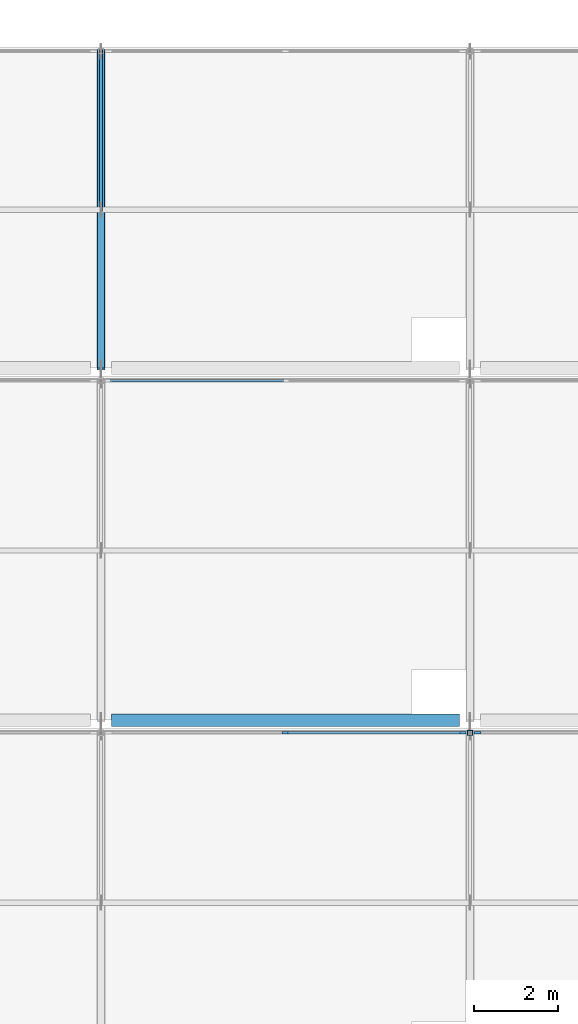
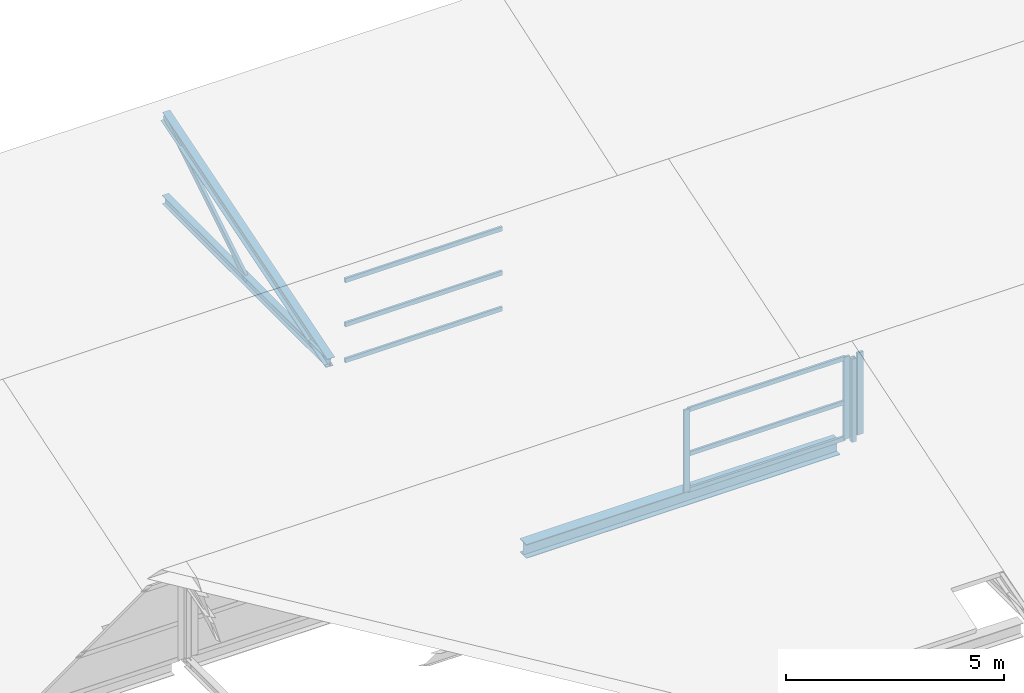
# One storey, part 12 of 40: 13 members, 1 beam, 3 elements without a shape of their own.
"""IFC4 building model written with IfcOpenShell, lengths in metres."""

from ifc_helpers import new_model, si_unit, direction, frame, origin, origin_2d, place, context, subcontext, project, spatial, rectangle, hollow_rectangle, i_section, extrude, material, material_profile, profile_set, type_object, element, aggregate, save


model = new_model("IFC4")

# Units and contexts
model_context = context("Model", 3, precision=1e-05, world=origin(), true_north=direction((0.0, 1.0)))
body_context = subcontext(model_context, "Body", "Model", "MODEL_VIEW")
ifc_project = project(units=[si_unit("LENGTHUNIT", "METRE"), si_unit("AREAUNIT", "SQUARE_METRE"), si_unit("VOLUMEUNIT", "CUBIC_METRE"), si_unit("PLANEANGLEUNIT", "RADIAN"), si_unit("MASSUNIT", "GRAM", prefix="KILO")], contexts=[model_context])

# Site, building, storey
site_placement = place(None, origin())
site = spatial("IfcSite", under=ifc_project, at=site_placement, CompositionType="ELEMENT")
building_placement = place(site_placement, origin())
building = spatial("IfcBuilding", under=site, at=building_placement, Name="Brinegate Botanical Conservatory", CompositionType="ELEMENT")
storey_placement = place(building_placement, frame((0.0, 0.0, 19.199951171875)))
storey = spatial("IfcBuildingStorey", under=building, at=storey_placement, Name="L05", CompositionType="ELEMENT", Elevation=19.199951171875)

# Beam
ifc_material_1 = material(Name="Structural steel Q355B / S355", Category="steel")
ifc_material_profile_1 = material_profile(ifc_material_1, i_section(OverallWidth=0.300048828125, OverallDepth=0.389892578125, WebThickness=0.010009765625, FlangeThickness=0.01611328125, at=origin_2d()), Name="HM 390x300x10x16")
ifc_profile_set_1 = profile_set([ifc_material_profile_1], Name="Structural steel Q355B / S355")
beam_type = type_object("IfcBeamType", Name="Beam_BM-S5", PredefinedType="BEAM", material=ifc_profile_set_1)
beam_placement = place(storey_placement, frame((95.050048828125, 95.199951171875, -0.179931640625), z_axis=(1.0, 0.0, 0.0), x_axis=(0.0, 1.0, 0.0)))
element("IfcBeam", 1, at=beam_placement, inside=storey, type_object=beam_type, Name="Sawtooth valley girder BM-S5 B2.6", PredefinedType="BEAM", context=body_context, shape_type="SweptSolid", body=[
    extrude(i_section(OverallWidth=0.300048828125, OverallDepth=0.389892578125, WebThickness=0.010009765625, FlangeThickness=0.01611328125, at=origin_2d()), origin(), (0.0, 0.0, 1.0), 8.300048828125),
])

# Curtain wall, members
ifc_material_2 = material(Name="Thermally broken anodised aluminium AW-6063-T6", Category="aluminium")
curtain_wall_type = type_object("IfcCurtainWallType", Name="CW_CW-SAW", PredefinedType="USERDEFINED", material=ifc_material_2)
curtain_wall_1_placement = place(storey_placement, origin())
curtain_wall_1 = element("IfcCurtainWall", 2, at=curtain_wall_1_placement, inside=storey, type_object=curtain_wall_type, Name="Sawtooth north-light clerestory B1.6", ObjectType="FACTORY CURTAIN WALL", PredefinedType="USERDEFINED")
ifc_material_profile_2 = material_profile(ifc_material_2, rectangle(XDim=0.06005859375, YDim=0.159912109375, at=origin_2d()), Name="ALUM MULLION 60x160")
ifc_profile_set_2 = profile_set([ifc_material_profile_2], Name="Thermally broken anodised aluminium AW-6063-T6")
member_type_1 = type_object("IfcMemberType", Name="Member_ML-01", PredefinedType="MULLION", material=ifc_profile_set_2)
member_1_placement = place(storey_placement, frame((99.199951171875, 94.89990234375, 0.150146484375), z_axis=(0.0, 0.0, 1.0), x_axis=(0.0, 1.0, 0.0)))
member_1 = element("IfcMember", 3, at=member_1_placement, type_object=member_type_1, Name="CW-SAW mullion 2", PredefinedType="MULLION", context=body_context, shape_type="SweptSolid", body=[
    extrude(rectangle(XDim=0.06005859375, YDim=0.159912109375, at=origin_2d()), origin(), (0.0, 0.0, 1.0), 2.2998046875),
])
member_2_placement = place(storey_placement, frame((103.419921875, 94.89990234375, 0.150146484375), z_axis=(0.0, 0.0, 1.0), x_axis=(0.0, 1.0, 0.0)))
member_2 = element("IfcMember", 4, at=member_2_placement, type_object=member_type_1, Name="CW-SAW mullion 3", PredefinedType="MULLION", context=body_context, shape_type="SweptSolid", body=[
    extrude(rectangle(XDim=0.06005859375, YDim=0.159912109375, at=origin_2d()), origin(), (0.0, 0.0, 1.0), 2.2998046875),
])

# Curtain wall, member
curtain_wall_2_placement = place(storey_placement, origin())
curtain_wall_2 = element("IfcCurtainWall", 5, at=curtain_wall_2_placement, inside=storey, type_object=curtain_wall_type, Name="Sawtooth north-light clerestory B1.7", ObjectType="FACTORY CURTAIN WALL", PredefinedType="USERDEFINED")
member_3_placement = place(storey_placement, frame((103.780029296875, 94.89990234375, 0.150146484375), z_axis=(0.0, 0.0, 1.0), x_axis=(0.0, 1.0, 0.0)))
member_3 = element("IfcMember", 6, at=member_3_placement, type_object=member_type_1, Name="CW-SAW mullion 1", PredefinedType="MULLION", context=body_context, shape_type="SweptSolid", body=[
    extrude(rectangle(XDim=0.06005859375, YDim=0.159912109375, at=origin_2d()), origin(), (0.0, 0.0, 1.0), 2.2998046875),
])
aggregate(curtain_wall_2, [member_3])

# Members
ifc_material_profile_3 = material_profile(ifc_material_1, hollow_rectangle(XDim=0.080078125, YDim=0.159912109375, WallThickness=0.006103515625, at=origin_2d()), Name="RHS 160x80x6")
ifc_profile_set_3 = profile_set([ifc_material_profile_3], Name="Structural steel Q355B / S355")
member_type_2 = type_object("IfcMemberType", Name="Member_SB-01", PredefinedType="BRACE", material=ifc_profile_set_3)
member_4_placement = place(storey_placement, frame((94.800048828125, 107.375, 0.02001953125), z_axis=(0.0, 0.850947042806, 0.525251492468), x_axis=(-1.0, 0.0, 0.0)))
element("IfcMember", 7, at=member_4_placement, inside=storey, type_object=member_type_2, Name="Sawtooth web diagonal SB-01 B3.T6", PredefinedType="BRACE", context=body_context, shape_type="SweptSolid", body=[
    extrude(hollow_rectangle(XDim=0.080078125, YDim=0.159912109375, WallThickness=0.006103515625, at=origin_2d()), origin(), (0.0, 0.0, 1.0), 4.43603515625),
])
ifc_material_profile_4 = material_profile(ifc_material_1, i_section(OverallWidth=0.199951171875, OverallDepth=0.2939453125, WebThickness=0.008056640625, FlangeThickness=0.011962890625, at=origin_2d()), Name="HM 294x200x8x12")
ifc_profile_set_4 = profile_set([ifc_material_profile_4], Name="Structural steel Q355B / S355")
member_type_3 = type_object("IfcMemberType", Name="Member_SC-01", PredefinedType="CHORD", material=ifc_profile_set_4)
member_5_placement = place(storey_placement, frame((94.800048828125, 103.60009765625, 0.02001953125), z_axis=(0.0, 0.955527457741, 0.294902149032), x_axis=(-1.0, 0.0, 0.0)))
element("IfcMember", 8, at=member_5_placement, inside=storey, type_object=member_type_3, Name="Sawtooth rafter chord SC-01 B3.T6", PredefinedType="CHORD", context=body_context, shape_type="SweptSolid", body=[
    extrude(i_section(OverallWidth=0.199951171875, OverallDepth=0.2939453125, WebThickness=0.008056640625, FlangeThickness=0.011962890625, at=origin_2d()), origin(), (0.0, 0.0, 1.0), 7.901123046875),
])
ifc_material_profile_5 = material_profile(ifc_material_1, i_section(OverallWidth=0.175048828125, OverallDepth=0.243896484375, WebThickness=0.007080078125, FlangeThickness=0.010986328125, at=origin_2d()), Name="HM 244x175x7x11")
ifc_profile_set_5 = profile_set([ifc_material_profile_5], Name="Structural steel Q355B / S355")
member_type_4 = type_object("IfcMemberType", Name="Member_SC-02", PredefinedType="CHORD", material=ifc_profile_set_5)
member_6_placement = place(storey_placement, frame((94.800048828125, 103.60009765625, 0.02001953125), z_axis=(0.0, 1.0, 0.0), x_axis=(-1.0, 0.0, 0.0)))
element("IfcMember", 9, at=member_6_placement, inside=storey, type_object=member_type_4, Name="Sawtooth bottom tie SC-02 B3.T6", PredefinedType="CHORD", context=body_context, shape_type="SweptSolid", body=[
    extrude(i_section(OverallWidth=0.175048828125, OverallDepth=0.243896484375, WebThickness=0.007080078125, FlangeThickness=0.010986328125, at=origin_2d()), origin(), (0.0, 0.0, 1.0), 7.5498046875),
])
ifc_material_profile_6 = material_profile(ifc_material_1, hollow_rectangle(XDim=0.1201171875, YDim=0.1201171875, WallThickness=0.006103515625, at=origin_2d()), Name="SHS 120x120x6")
ifc_profile_set_6 = profile_set([ifc_material_profile_6], Name="Structural steel Q355B / S355")
member_type_5 = type_object("IfcMemberType", Name="Member_SS-01", PredefinedType="STRUT", material=ifc_profile_set_6)
member_7_placement = place(storey_placement, frame((103.60009765625, 94.89990234375, 0.02001953125), z_axis=(0.0, 0.0, 1.0), x_axis=(1.0, 0.0, 0.0)))
element("IfcMember", 10, at=member_7_placement, inside=storey, type_object=member_type_5, Name="Sawtooth north clerestory post SS-01 B1.T7", PredefinedType="STRUT", context=body_context, shape_type="SweptSolid", body=[
    extrude(hollow_rectangle(XDim=0.1201171875, YDim=0.1201171875, WallThickness=0.006103515625, at=origin_2d()), origin(), (0.0, 0.0, 1.0), 2.330078125),
])

# Member
ifc_material_profile_7 = material_profile(ifc_material_2, rectangle(XDim=0.06005859375, YDim=0.1201171875, at=origin_2d()), Name="ALUM TRANSOM 60x120")
ifc_profile_set_7 = profile_set([ifc_material_profile_7], Name="Thermally broken anodised aluminium AW-6063-T6")
member_type_6 = type_object("IfcMemberType", Name="Member_TR-01", PredefinedType="USERDEFINED", material=ifc_profile_set_7)
member_8_placement = place(storey_placement, frame((99.22998046875, 94.89990234375, 0.179931640625), z_axis=(1.0, 0.0, 0.0), x_axis=(0.0, 1.0, 0.0)))
member_8 = element("IfcMember", 11, at=member_8_placement, type_object=member_type_6, Name="CW-SAW transom 2.1", ObjectType="TRANSOM", PredefinedType="USERDEFINED", context=body_context, shape_type="SweptSolid", body=[
    extrude(rectangle(XDim=0.06005859375, YDim=0.1201171875, at=origin_2d()), origin(), (0.0, 0.0, 1.0), 4.159912109375),
])

member_9_placement = place(storey_placement, frame((99.22998046875, 94.89990234375, 1.18505859375), z_axis=(1.0, 0.0, 0.0), x_axis=(0.0, 1.0, 0.0)))
member_9 = element("IfcMember", 12, at=member_9_placement, type_object=member_type_6, Name="CW-SAW transom 2.2", ObjectType="TRANSOM", PredefinedType="USERDEFINED", context=body_context, shape_type="SweptSolid", body=[
    extrude(rectangle(XDim=0.06005859375, YDim=0.1201171875, at=origin_2d()), origin(), (0.0, 0.0, 1.0), 4.159912109375),
])

member_10_placement = place(storey_placement, frame((99.22998046875, 94.89990234375, 2.420166015625), z_axis=(1.0, 0.0, 0.0), x_axis=(0.0, 1.0, 0.0)))
member_10 = element("IfcMember", 13, at=member_10_placement, type_object=member_type_6, Name="CW-SAW transom 2.3", ObjectType="TRANSOM", PredefinedType="USERDEFINED", context=body_context, shape_type="SweptSolid", body=[
    extrude(rectangle(XDim=0.06005859375, YDim=0.1201171875, at=origin_2d()), origin(), (0.0, 0.0, 1.0), 4.159912109375),
])

aggregate(curtain_wall_1, [member_1, member_2, member_8, member_9, member_10])

# Curtain wall, members
curtain_wall_3_placement = place(storey_placement, origin())
curtain_wall_3 = element("IfcCurtainWall", 14, at=curtain_wall_3_placement, inside=storey, type_object=curtain_wall_type, Name="Sawtooth north-light clerestory B2.6", ObjectType="FACTORY CURTAIN WALL", PredefinedType="USERDEFINED")
member_11_placement = place(storey_placement, frame((95.010009765625, 103.300048828125, 0.179931640625), z_axis=(1.0, 0.0, 0.0), x_axis=(0.0, 1.0, 0.0)))
member_11 = element("IfcMember", 15, at=member_11_placement, type_object=member_type_6, Name="CW-SAW transom 1.1", ObjectType="TRANSOM", PredefinedType="USERDEFINED", context=body_context, shape_type="SweptSolid", body=[
    extrude(rectangle(XDim=0.06005859375, YDim=0.1201171875, at=origin_2d()), origin(), (0.0, 0.0, 1.0), 4.159912109375),
])
member_12_placement = place(storey_placement, frame((95.010009765625, 103.300048828125, 1.18505859375), z_axis=(1.0, 0.0, 0.0), x_axis=(0.0, 1.0, 0.0)))
member_12 = element("IfcMember", 16, at=member_12_placement, type_object=member_type_6, Name="CW-SAW transom 1.2", ObjectType="TRANSOM", PredefinedType="USERDEFINED", context=body_context, shape_type="SweptSolid", body=[
    extrude(rectangle(XDim=0.06005859375, YDim=0.1201171875, at=origin_2d()), origin(), (0.0, 0.0, 1.0), 4.159912109375),
])
member_13_placement = place(storey_placement, frame((95.010009765625, 103.300048828125, 2.420166015625), z_axis=(1.0, 0.0, 0.0), x_axis=(0.0, 1.0, 0.0)))
member_13 = element("IfcMember", 17, at=member_13_placement, type_object=member_type_6, Name="CW-SAW transom 1.3", ObjectType="TRANSOM", PredefinedType="USERDEFINED", context=body_context, shape_type="SweptSolid", body=[
    extrude(rectangle(XDim=0.06005859375, YDim=0.1201171875, at=origin_2d()), origin(), (0.0, 0.0, 1.0), 4.159912109375),
])
aggregate(curtain_wall_3, [member_11, member_12, member_13])

save(model, "model.ifc")
